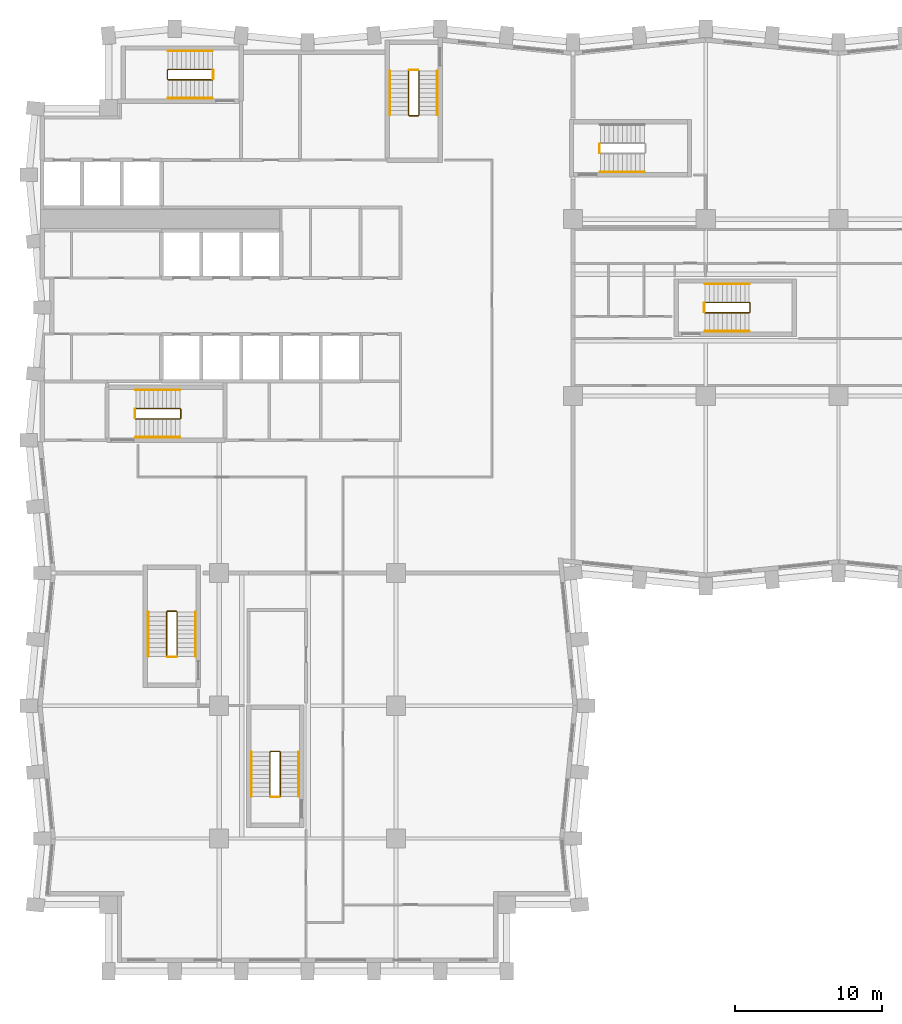
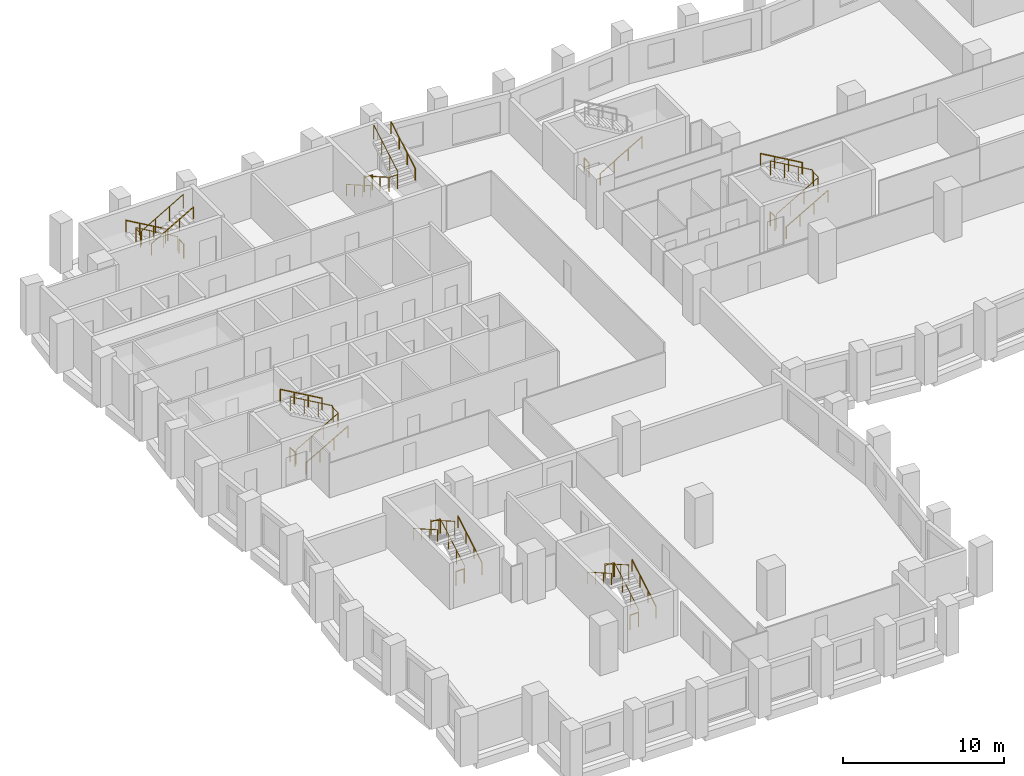
# One storey, part 10 of 11: 26 railings.
"""IFC4 building model written with IfcOpenShell, lengths in metres."""

from ifc_helpers import new_model, si_unit, direction, frame, origin, origin_2d, place, context, subcontext, project, spatial, circle, extrude, material, type_object, element, save


model = new_model("IFC4")

# Units and contexts
model_context = context("Model", 3, precision=1e-05, world=origin(), true_north=direction((0.0, 1.0)))
body_context = subcontext(model_context, "Body", "Model", "MODEL_VIEW")
ifc_project = project(units=[si_unit("LENGTHUNIT", "METRE"), si_unit("AREAUNIT", "SQUARE_METRE"), si_unit("VOLUMEUNIT", "CUBIC_METRE"), si_unit("PLANEANGLEUNIT", "RADIAN"), si_unit("MASSUNIT", "GRAM", prefix="KILO")], contexts=[model_context])

# Site, building, storey
site_placement = place(None, origin())
site = spatial("IfcSite", under=ifc_project, at=site_placement, CompositionType="ELEMENT")
building_placement = place(site_placement, origin())
building = spatial("IfcBuilding", under=site, at=building_placement, Name="Brondeck Convention Tower", CompositionType="ELEMENT")
storey_placement = place(building_placement, frame((0.0, 0.0, 134.10009765625)))
storey = spatial("IfcBuildingStorey", under=building, at=storey_placement, Name="L32", CompositionType="ELEMENT", Elevation=134.10009765625)

# Railings
ifc_material = material(Name="Steel S355", Category="steel")
railing_type_1 = type_object("IfcRailingType", Name="Stair guard 1100", PredefinedType="GUARDRAIL", material=ifc_material)
railing_1_placement = place(storey_placement, frame((6.35009765625, 37.449951171875, 0.172607421875)))
element("IfcRailing", 1, at=railing_1_placement, inside=storey, type_object=railing_type_1, Name="L32 ST-1 stair guard 1", PredefinedType="GUARDRAIL", context=body_context, shape_type="SweptSolid", body=[
    extrude(circle(Radius=0.02392578125, at=origin_2d()), frame((0.0, 0.0, 1.076171875), z_axis=(0.866619684472, 0.0, 0.498969260062), x_axis=(0.0, 1.0, 0.0)), (0.0, 0.0, 1.0), 3.461669921875),
    extrude(circle(Radius=0.02392578125, at=origin_2d()), frame((3.0, 0.0, 2.80322265625), z_axis=(0.705375805398, 0.708833529934, 0.0), x_axis=(-0.708833529934, 0.705375805398, 0.0)), (0.0, 0.0, 1.0), 0.070556640625),
    extrude(circle(Radius=0.02392578125, at=origin_2d()), frame((3.0498046875, 0.050048828125, 2.80322265625), z_axis=(0.0, 1.0, 0.0), x_axis=(-1.0, 0.0, 0.0)), (0.0, 0.0, 1.0), 0.60009765625),
    extrude(circle(Radius=0.02392578125, at=origin_2d()), frame((3.0498046875, 0.650146484375, 2.80322265625), z_axis=(-0.26715648603, 0.26715648603, 0.925880566782), x_axis=(-0.707106781187, -0.707106781187, 0.0)), (0.0, 0.0, 1.0), 0.1865234375),
    extrude(circle(Radius=0.02392578125, at=origin_2d()), frame((3.0, 0.699951171875, 2.97607421875), z_axis=(-0.866619684472, 0.0, 0.498969260062), x_axis=(0.0, -1.0, 0.0)), (0.0, 0.0, 1.0), 3.461669921875),
    extrude(circle(Radius=0.02099609375, at=origin_2d()), origin(), (0.0, 0.0, 1.0), 1.052001953125),
    extrude(circle(Radius=0.02099609375, at=origin_2d()), frame((1.0, 0.0, 0.57568359375)), (0.0, 0.0, 1.0), 1.052001953125),
    extrude(circle(Radius=0.02099609375, at=origin_2d()), frame((2.0, 0.0, 1.151611328125)), (0.0, 0.0, 1.0), 1.052001953125),
    extrude(circle(Radius=0.02099609375, at=origin_2d()), frame((3.0, 0.0, 1.727294921875)), (0.0, 0.0, 1.0), 1.052001953125),
    extrude(circle(Radius=0.02099609375, at=origin_2d()), frame((3.0498046875, 0.050048828125, 1.727294921875)), (0.0, 0.0, 1.0), 1.052001953125),
    extrude(circle(Radius=0.02099609375, at=origin_2d()), frame((3.0498046875, 0.650146484375, 1.727294921875)), (0.0, 0.0, 1.0), 1.052001953125),
    extrude(circle(Radius=0.02099609375, at=origin_2d()), frame((3.0, 0.699951171875, 1.89990234375)), (0.0, 0.0, 1.0), 1.052001953125),
    extrude(circle(Radius=0.02099609375, at=origin_2d()), frame((2.0, 0.699951171875, 2.4755859375)), (0.0, 0.0, 1.0), 1.052001953125),
    extrude(circle(Radius=0.02099609375, at=origin_2d()), frame((1.0, 0.699951171875, 3.051513671875)), (0.0, 0.0, 1.0), 1.052001953125),
    extrude(circle(Radius=0.02099609375, at=origin_2d()), frame((0.0, 0.699951171875, 3.627197265625)), (0.0, 0.0, 1.0), 1.052001953125),
])
railing_2_placement = place(storey_placement, frame((6.300048828125, 37.5, 0.0)))
element("IfcRailing", 2, at=railing_2_placement, inside=storey, type_object=railing_type_1, Name="L32 ST-1 stair guard 2", PredefinedType="GUARDRAIL", context=body_context, shape_type="SweptSolid", body=[
    extrude(circle(Radius=0.02392578125, at=origin_2d()), frame((0.0, 0.0, 1.076171875), z_axis=(0.0, 1.0, 0.0), x_axis=(-1.0, 0.0, 0.0)), (0.0, 0.0, 1.0), 0.60009765625),
    extrude(circle(Radius=0.02099609375, at=origin_2d()), origin(), (0.0, 0.0, 1.0), 1.052001953125),
    extrude(circle(Radius=0.02099609375, at=origin_2d()), frame((0.0, 0.60009765625, 0.0)), (0.0, 0.0, 1.0), 1.052001953125),
])
railing_3_placement = place(storey_placement, frame((24.85009765625, 61.050048828125, 0.172607421875)))
element("IfcRailing", 3, at=railing_3_placement, inside=storey, type_object=railing_type_1, Name="L32 ST-2 stair guard 1", PredefinedType="GUARDRAIL", context=body_context, shape_type="SweptSolid", body=[
    extrude(circle(Radius=0.02392578125, at=origin_2d()), frame((0.0, 0.0, 1.076171875), z_axis=(0.0, -0.866619684472, 0.498969260062), x_axis=(1.0, 0.0, 0.0)), (0.0, 0.0, 1.0), 3.461669921875),
    extrude(circle(Radius=0.02392578125, at=origin_2d()), frame((0.0, -3.0, 2.80322265625), z_axis=(0.705375805398, -0.708833529934, 0.0), x_axis=(0.708833529934, 0.705375805398, 0.0)), (0.0, 0.0, 1.0), 0.070556640625),
    extrude(circle(Radius=0.02392578125, at=origin_2d()), frame((0.0498046875, -3.050048828125, 2.80322265625), z_axis=(1.0, 0.0, 0.0), x_axis=(0.0, 1.0, 0.0)), (0.0, 0.0, 1.0), 0.60009765625),
    extrude(circle(Radius=0.02392578125, at=origin_2d()), frame((0.64990234375, -3.050048828125, 2.80322265625), z_axis=(0.268277960024, 0.268277960024, 0.925231793839), x_axis=(-0.707106781187, 0.707106781187, 0.0)), (0.0, 0.0, 1.0), 0.1865234375),
    extrude(circle(Radius=0.02392578125, at=origin_2d()), frame((0.699951171875, -3.0, 2.97607421875), z_axis=(0.0, 0.866619684472, 0.498969260062), x_axis=(-1.0, 0.0, 0.0)), (0.0, 0.0, 1.0), 3.461669921875),
    extrude(circle(Radius=0.02099609375, at=origin_2d()), origin(), (0.0, 0.0, 1.0), 1.052001953125),
    extrude(circle(Radius=0.02099609375, at=origin_2d()), frame((0.0, -1.0, 0.57568359375)), (0.0, 0.0, 1.0), 1.052001953125),
    extrude(circle(Radius=0.02099609375, at=origin_2d()), frame((0.0, -2.0, 1.151611328125)), (0.0, 0.0, 1.0), 1.052001953125),
    extrude(circle(Radius=0.02099609375, at=origin_2d()), frame((0.0, -3.0, 1.727294921875)), (0.0, 0.0, 1.0), 1.052001953125),
    extrude(circle(Radius=0.02099609375, at=origin_2d()), frame((0.0498046875, -3.050048828125, 1.727294921875)), (0.0, 0.0, 1.0), 1.052001953125),
    extrude(circle(Radius=0.02099609375, at=origin_2d()), frame((0.64990234375, -3.050048828125, 1.727294921875)), (0.0, 0.0, 1.0), 1.052001953125),
    extrude(circle(Radius=0.02099609375, at=origin_2d()), frame((0.699951171875, -3.0, 1.89990234375)), (0.0, 0.0, 1.0), 1.052001953125),
    extrude(circle(Radius=0.02099609375, at=origin_2d()), frame((0.699951171875, -2.0, 2.4755859375)), (0.0, 0.0, 1.0), 1.052001953125),
    extrude(circle(Radius=0.02099609375, at=origin_2d()), frame((0.699951171875, -1.0, 3.051513671875)), (0.0, 0.0, 1.0), 1.052001953125),
    extrude(circle(Radius=0.02099609375, at=origin_2d()), frame((0.699951171875, 0.0, 3.627197265625)), (0.0, 0.0, 1.0), 1.052001953125),
])
railing_4_placement = place(storey_placement, frame((24.89990234375, 61.10009765625, 0.0)))
element("IfcRailing", 4, at=railing_4_placement, inside=storey, type_object=railing_type_1, Name="L32 ST-2 stair guard 2", PredefinedType="GUARDRAIL", context=body_context, shape_type="SweptSolid", body=[
    extrude(circle(Radius=0.02392578125, at=origin_2d()), frame((0.0, 0.0, 1.076171875), z_axis=(1.0, 0.0, 0.0), x_axis=(0.0, 1.0, 0.0)), (0.0, 0.0, 1.0), 0.60009765625),
    extrude(circle(Radius=0.02099609375, at=origin_2d()), origin(), (0.0, 0.0, 1.0), 1.052001953125),
    extrude(circle(Radius=0.02099609375, at=origin_2d()), frame((0.60009765625, 0.0, 0.0)), (0.0, 0.0, 1.0), 1.052001953125),
])
railing_5_placement = place(storey_placement, frame((11.550048828125, 61.14990234375, 0.172607421875)))
element("IfcRailing", 5, at=railing_5_placement, inside=storey, type_object=railing_type_1, Name="L32 ST-3 stair guard 1", PredefinedType="GUARDRAIL", context=body_context, shape_type="SweptSolid", body=[
    extrude(circle(Radius=0.02392578125, at=origin_2d()), frame((0.0, 0.0, 1.076171875), z_axis=(-0.866619684472, 0.0, 0.498969260062), x_axis=(0.0, -1.0, 0.0)), (0.0, 0.0, 1.0), 3.461669921875),
    extrude(circle(Radius=0.02392578125, at=origin_2d()), frame((-3.0, 0.0, 2.80322265625), z_axis=(-0.708833529934, -0.705375805398, 0.0), x_axis=(0.705375805398, -0.708833529934, 0.0)), (0.0, 0.0, 1.0), 0.070556640625),
    extrude(circle(Radius=0.02392578125, at=origin_2d()), frame((-3.050048828125, -0.0498046875, 2.80322265625), z_axis=(0.0, -1.0, 0.0), x_axis=(1.0, 0.0, 0.0)), (0.0, 0.0, 1.0), 0.60009765625),
    extrude(circle(Radius=0.02392578125, at=origin_2d()), frame((-3.050048828125, -0.64990234375, 2.80322265625), z_axis=(0.268277960024, -0.268277960024, 0.925231793839), x_axis=(0.707106781187, 0.707106781187, 0.0)), (0.0, 0.0, 1.0), 0.1865234375),
    extrude(circle(Radius=0.02392578125, at=origin_2d()), frame((-3.0, -0.699951171875, 2.97607421875), z_axis=(0.866619684472, 0.0, 0.498969260062), x_axis=(0.0, 1.0, 0.0)), (0.0, 0.0, 1.0), 3.461669921875),
    extrude(circle(Radius=0.02099609375, at=origin_2d()), origin(), (0.0, 0.0, 1.0), 1.052001953125),
    extrude(circle(Radius=0.02099609375, at=origin_2d()), frame((-1.0, 0.0, 0.57568359375)), (0.0, 0.0, 1.0), 1.052001953125),
    extrude(circle(Radius=0.02099609375, at=origin_2d()), frame((-2.0, 0.0, 1.151611328125)), (0.0, 0.0, 1.0), 1.052001953125),
    extrude(circle(Radius=0.02099609375, at=origin_2d()), frame((-3.0, 0.0, 1.727294921875)), (0.0, 0.0, 1.0), 1.052001953125),
    extrude(circle(Radius=0.02099609375, at=origin_2d()), frame((-3.050048828125, -0.0498046875, 1.727294921875)), (0.0, 0.0, 1.0), 1.052001953125),
    extrude(circle(Radius=0.02099609375, at=origin_2d()), frame((-3.050048828125, -0.64990234375, 1.727294921875)), (0.0, 0.0, 1.0), 1.052001953125),
    extrude(circle(Radius=0.02099609375, at=origin_2d()), frame((-3.0, -0.699951171875, 1.89990234375)), (0.0, 0.0, 1.0), 1.052001953125),
    extrude(circle(Radius=0.02099609375, at=origin_2d()), frame((-2.0, -0.699951171875, 2.4755859375)), (0.0, 0.0, 1.0), 1.052001953125),
    extrude(circle(Radius=0.02099609375, at=origin_2d()), frame((-1.0, -0.699951171875, 3.051513671875)), (0.0, 0.0, 1.0), 1.052001953125),
    extrude(circle(Radius=0.02099609375, at=origin_2d()), frame((0.0, -0.699951171875, 3.627197265625)), (0.0, 0.0, 1.0), 1.052001953125),
])
railing_6_placement = place(storey_placement, frame((11.60009765625, 61.10009765625, 0.0)))
element("IfcRailing", 6, at=railing_6_placement, inside=storey, type_object=railing_type_1, Name="L32 ST-3 stair guard 2", PredefinedType="GUARDRAIL", context=body_context, shape_type="SweptSolid", body=[
    extrude(circle(Radius=0.02392578125, at=origin_2d()), frame((0.0, 0.0, 1.076171875), z_axis=(0.0, -1.0, 0.0), x_axis=(1.0, 0.0, 0.0)), (0.0, 0.0, 1.0), 0.60009765625),
    extrude(circle(Radius=0.02099609375, at=origin_2d()), origin(), (0.0, 0.0, 1.0), 1.052001953125),
    extrude(circle(Radius=0.02099609375, at=origin_2d()), frame((0.0, -0.60009765625, 0.0)), (0.0, 0.0, 1.0), 1.052001953125),
])
railing_7_placement = place(storey_placement, frame((37.800048828125, 55.5, 0.0)))
element("IfcRailing", 7, at=railing_7_placement, inside=storey, type_object=railing_type_1, Name="L32 ST-AE stair guard 2", PredefinedType="GUARDRAIL", context=body_context, shape_type="SweptSolid", body=[
    extrude(circle(Radius=0.02392578125, at=origin_2d()), frame((0.0, 0.0, 1.076171875), z_axis=(0.0, 1.0, 0.0), x_axis=(-1.0, 0.0, 0.0)), (0.0, 0.0, 1.0), 0.60009765625),
    extrude(circle(Radius=0.02099609375, at=origin_2d()), origin(), (0.0, 0.0, 1.0), 1.052001953125),
    extrude(circle(Radius=0.02099609375, at=origin_2d()), frame((0.0, 0.60009765625, 0.0)), (0.0, 0.0, 1.0), 1.052001953125),
])
railing_8_placement = place(storey_placement, frame((9.14990234375, 21.35009765625, 0.172607421875)))
element("IfcRailing", 8, at=railing_8_placement, inside=storey, type_object=railing_type_1, Name="L32 ST-BE stair guard 1", PredefinedType="GUARDRAIL", context=body_context, shape_type="SweptSolid", body=[
    extrude(circle(Radius=0.02392578125, at=origin_2d()), frame((0.0, 0.0, 1.076171875), z_axis=(0.0, 0.866619684472, 0.498969260062), x_axis=(-1.0, 0.0, 0.0)), (0.0, 0.0, 1.0), 3.461669921875),
    extrude(circle(Radius=0.02392578125, at=origin_2d()), frame((0.0, 3.0, 2.80322265625), z_axis=(-0.707106781187, 0.707106781187, 0.0), x_axis=(-0.707106781187, -0.707106781187, 0.0)), (0.0, 0.0, 1.0), 0.0703125),
    extrude(circle(Radius=0.02392578125, at=origin_2d()), frame((-0.0498046875, 3.0498046875, 2.80322265625), z_axis=(-1.0, 0.0, 0.0), x_axis=(0.0, -1.0, 0.0)), (0.0, 0.0, 1.0), 0.60009765625),
    extrude(circle(Radius=0.02392578125, at=origin_2d()), frame((-0.64990234375, 3.0498046875, 2.80322265625), z_axis=(-0.268371968888, -0.267062837333, 0.925556009775), x_axis=(0.705375805398, -0.708833529934, 0.0)), (0.0, 0.0, 1.0), 0.1865234375),
    extrude(circle(Radius=0.02392578125, at=origin_2d()), frame((-0.699951171875, 3.0, 2.97607421875), z_axis=(0.0, -0.866619684472, 0.498969260062), x_axis=(1.0, 0.0, 0.0)), (0.0, 0.0, 1.0), 3.461669921875),
    extrude(circle(Radius=0.02099609375, at=origin_2d()), origin(), (0.0, 0.0, 1.0), 1.052001953125),
    extrude(circle(Radius=0.02099609375, at=origin_2d()), frame((0.0, 1.0, 0.57568359375)), (0.0, 0.0, 1.0), 1.052001953125),
    extrude(circle(Radius=0.02099609375, at=origin_2d()), frame((0.0, 2.0, 1.151611328125)), (0.0, 0.0, 1.0), 1.052001953125),
    extrude(circle(Radius=0.02099609375, at=origin_2d()), frame((0.0, 3.0, 1.727294921875)), (0.0, 0.0, 1.0), 1.052001953125),
    extrude(circle(Radius=0.02099609375, at=origin_2d()), frame((-0.0498046875, 3.0498046875, 1.727294921875)), (0.0, 0.0, 1.0), 1.052001953125),
    extrude(circle(Radius=0.02099609375, at=origin_2d()), frame((-0.64990234375, 3.0498046875, 1.727294921875)), (0.0, 0.0, 1.0), 1.052001953125),
    extrude(circle(Radius=0.02099609375, at=origin_2d()), frame((-0.699951171875, 3.0, 1.89990234375)), (0.0, 0.0, 1.0), 1.052001953125),
    extrude(circle(Radius=0.02099609375, at=origin_2d()), frame((-0.699951171875, 2.0, 2.4755859375)), (0.0, 0.0, 1.0), 1.052001953125),
    extrude(circle(Radius=0.02099609375, at=origin_2d()), frame((-0.699951171875, 1.0, 3.051513671875)), (0.0, 0.0, 1.0), 1.052001953125),
    extrude(circle(Radius=0.02099609375, at=origin_2d()), frame((-0.699951171875, 0.0, 3.627197265625)), (0.0, 0.0, 1.0), 1.052001953125),
])
railing_9_placement = place(storey_placement, frame((9.10009765625, 21.300048828125, 0.0)))
element("IfcRailing", 9, at=railing_9_placement, inside=storey, type_object=railing_type_1, Name="L32 ST-BE stair guard 2", PredefinedType="GUARDRAIL", context=body_context, shape_type="SweptSolid", body=[
    extrude(circle(Radius=0.02392578125, at=origin_2d()), frame((0.0, 0.0, 1.076171875), z_axis=(-1.0, 0.0, 0.0), x_axis=(0.0, -1.0, 0.0)), (0.0, 0.0, 1.0), 0.60009765625),
    extrude(circle(Radius=0.02099609375, at=origin_2d()), origin(), (0.0, 0.0, 1.0), 1.052001953125),
    extrude(circle(Radius=0.02099609375, at=origin_2d()), frame((-0.60009765625, 0.0, 0.0)), (0.0, 0.0, 1.0), 1.052001953125),
])
railing_10_placement = place(storey_placement, frame((44.949951171875, 44.64990234375, 0.172607421875)))
element("IfcRailing", 10, at=railing_10_placement, inside=storey, type_object=railing_type_1, Name="L32 ST-AF stair guard 1", PredefinedType="GUARDRAIL", context=body_context, shape_type="SweptSolid", body=[
    extrude(circle(Radius=0.02392578125, at=origin_2d()), frame((0.0, 0.0, 1.076171875), z_axis=(0.866619684472, 0.0, 0.498969260062), x_axis=(0.0, 1.0, 0.0)), (0.0, 0.0, 1.0), 3.461669921875),
    extrude(circle(Radius=0.02392578125, at=origin_2d()), frame((3.0, 0.0, 2.80322265625), z_axis=(0.707106781187, 0.707106781187, 0.0), x_axis=(-0.707106781187, 0.707106781187, 0.0)), (0.0, 0.0, 1.0), 0.07080078125),
    extrude(circle(Radius=0.02392578125, at=origin_2d()), frame((3.050048828125, 0.050048828125, 2.80322265625), z_axis=(0.0, 1.0, 0.0), x_axis=(-1.0, 0.0, 0.0)), (0.0, 0.0, 1.0), 0.60009765625),
    extrude(circle(Radius=0.02392578125, at=origin_2d()), frame((3.050048828125, 0.650146484375, 2.80322265625), z_axis=(-0.268277960024, 0.268277960024, 0.925231793839), x_axis=(-0.707106781187, -0.707106781187, 0.0)), (0.0, 0.0, 1.0), 0.1865234375),
    extrude(circle(Radius=0.02392578125, at=origin_2d()), frame((3.0, 0.7001953125, 2.97607421875), z_axis=(-0.866619684472, 0.0, 0.498969260062), x_axis=(0.0, -1.0, 0.0)), (0.0, 0.0, 1.0), 3.461669921875),
    extrude(circle(Radius=0.02099609375, at=origin_2d()), origin(), (0.0, 0.0, 1.0), 1.052001953125),
    extrude(circle(Radius=0.02099609375, at=origin_2d()), frame((1.0, 0.0, 0.57568359375)), (0.0, 0.0, 1.0), 1.052001953125),
    extrude(circle(Radius=0.02099609375, at=origin_2d()), frame((2.0, 0.0, 1.151611328125)), (0.0, 0.0, 1.0), 1.052001953125),
    extrude(circle(Radius=0.02099609375, at=origin_2d()), frame((3.0, 0.0, 1.727294921875)), (0.0, 0.0, 1.0), 1.052001953125),
    extrude(circle(Radius=0.02099609375, at=origin_2d()), frame((3.050048828125, 0.050048828125, 1.727294921875)), (0.0, 0.0, 1.0), 1.052001953125),
    extrude(circle(Radius=0.02099609375, at=origin_2d()), frame((3.050048828125, 0.650146484375, 1.727294921875)), (0.0, 0.0, 1.0), 1.052001953125),
    extrude(circle(Radius=0.02099609375, at=origin_2d()), frame((3.0, 0.7001953125, 1.89990234375)), (0.0, 0.0, 1.0), 1.052001953125),
    extrude(circle(Radius=0.02099609375, at=origin_2d()), frame((2.0, 0.7001953125, 2.4755859375)), (0.0, 0.0, 1.0), 1.052001953125),
    extrude(circle(Radius=0.02099609375, at=origin_2d()), frame((1.0, 0.7001953125, 3.051513671875)), (0.0, 0.0, 1.0), 1.052001953125),
    extrude(circle(Radius=0.02099609375, at=origin_2d()), frame((0.0, 0.7001953125, 3.627197265625)), (0.0, 0.0, 1.0), 1.052001953125),
])
railing_11_placement = place(storey_placement, frame((44.89990234375, 44.699951171875, 0.0)))
element("IfcRailing", 11, at=railing_11_placement, inside=storey, type_object=railing_type_1, Name="L32 ST-AF stair guard 2", PredefinedType="GUARDRAIL", context=body_context, shape_type="SweptSolid", body=[
    extrude(circle(Radius=0.02392578125, at=origin_2d()), frame((0.0, 0.0, 1.076171875), z_axis=(0.0, 1.0, 0.0), x_axis=(-1.0, 0.0, 0.0)), (0.0, 0.0, 1.0), 0.60009765625),
    extrude(circle(Radius=0.02099609375, at=origin_2d()), origin(), (0.0, 0.0, 1.0), 1.052001953125),
    extrude(circle(Radius=0.02099609375, at=origin_2d()), frame((0.0, 0.60009765625, 0.0)), (0.0, 0.0, 1.0), 1.052001953125),
])
railing_12_placement = place(storey_placement, frame((16.14990234375, 11.85009765625, 0.172607421875)))
element("IfcRailing", 12, at=railing_12_placement, inside=storey, type_object=railing_type_1, Name="L32 ST-BF stair guard 1", PredefinedType="GUARDRAIL", context=body_context, shape_type="SweptSolid", body=[
    extrude(circle(Radius=0.02392578125, at=origin_2d()), frame((0.0, 0.0, 1.076171875), z_axis=(0.0, 0.866619684472, 0.498969260062), x_axis=(-1.0, 0.0, 0.0)), (0.0, 0.0, 1.0), 3.461669921875),
    extrude(circle(Radius=0.02392578125, at=origin_2d()), frame((0.0, 3.0, 2.80322265625), z_axis=(-0.707106781187, 0.707106781187, 0.0), x_axis=(-0.707106781187, -0.707106781187, 0.0)), (0.0, 0.0, 1.0), 0.0703125),
    extrude(circle(Radius=0.02392578125, at=origin_2d()), frame((-0.0498046875, 3.0498046875, 2.80322265625), z_axis=(-1.0, 0.0, 0.0), x_axis=(0.0, -1.0, 0.0)), (0.0, 0.0, 1.0), 0.60009765625),
    extrude(circle(Radius=0.02392578125, at=origin_2d()), frame((-0.64990234375, 3.0498046875, 2.80322265625), z_axis=(-0.268371968888, -0.267062837333, 0.925556009775), x_axis=(0.705375805398, -0.708833529934, 0.0)), (0.0, 0.0, 1.0), 0.1865234375),
    extrude(circle(Radius=0.02392578125, at=origin_2d()), frame((-0.699951171875, 3.0, 2.97607421875), z_axis=(0.0, -0.866619684472, 0.498969260062), x_axis=(1.0, 0.0, 0.0)), (0.0, 0.0, 1.0), 3.461669921875),
    extrude(circle(Radius=0.02099609375, at=origin_2d()), origin(), (0.0, 0.0, 1.0), 1.052001953125),
    extrude(circle(Radius=0.02099609375, at=origin_2d()), frame((0.0, 1.0, 0.57568359375)), (0.0, 0.0, 1.0), 1.052001953125),
    extrude(circle(Radius=0.02099609375, at=origin_2d()), frame((0.0, 2.0, 1.151611328125)), (0.0, 0.0, 1.0), 1.052001953125),
    extrude(circle(Radius=0.02099609375, at=origin_2d()), frame((0.0, 3.0, 1.727294921875)), (0.0, 0.0, 1.0), 1.052001953125),
    extrude(circle(Radius=0.02099609375, at=origin_2d()), frame((-0.0498046875, 3.0498046875, 1.727294921875)), (0.0, 0.0, 1.0), 1.052001953125),
    extrude(circle(Radius=0.02099609375, at=origin_2d()), frame((-0.64990234375, 3.0498046875, 1.727294921875)), (0.0, 0.0, 1.0), 1.052001953125),
    extrude(circle(Radius=0.02099609375, at=origin_2d()), frame((-0.699951171875, 3.0, 1.89990234375)), (0.0, 0.0, 1.0), 1.052001953125),
    extrude(circle(Radius=0.02099609375, at=origin_2d()), frame((-0.699951171875, 2.0, 2.4755859375)), (0.0, 0.0, 1.0), 1.052001953125),
    extrude(circle(Radius=0.02099609375, at=origin_2d()), frame((-0.699951171875, 1.0, 3.051513671875)), (0.0, 0.0, 1.0), 1.052001953125),
    extrude(circle(Radius=0.02099609375, at=origin_2d()), frame((-0.699951171875, 0.0, 3.627197265625)), (0.0, 0.0, 1.0), 1.052001953125),
])
railing_13_placement = place(storey_placement, frame((16.10009765625, 11.800048828125, 0.0)))
element("IfcRailing", 13, at=railing_13_placement, inside=storey, type_object=railing_type_1, Name="L32 ST-BF stair guard 2", PredefinedType="GUARDRAIL", context=body_context, shape_type="SweptSolid", body=[
    extrude(circle(Radius=0.02392578125, at=origin_2d()), frame((0.0, 0.0, 1.076171875), z_axis=(-1.0, 0.0, 0.0), x_axis=(0.0, -1.0, 0.0)), (0.0, 0.0, 1.0), 0.60009765625),
    extrude(circle(Radius=0.02099609375, at=origin_2d()), origin(), (0.0, 0.0, 1.0), 1.052001953125),
    extrude(circle(Radius=0.02099609375, at=origin_2d()), frame((-0.60009765625, 0.0, 0.0)), (0.0, 0.0, 1.0), 1.052001953125),
])
railing_type_2 = type_object("IfcRailingType", Name="Stair handrail", PredefinedType="HANDRAIL", material=ifc_material)
railing_14_placement = place(storey_placement, frame((6.35009765625, 36.199951171875, 0.172607421875)))
element("IfcRailing", 14, at=railing_14_placement, inside=storey, type_object=railing_type_2, Name="L32 ST-1 stair handrail 1", PredefinedType="HANDRAIL", context=body_context, shape_type="SweptSolid", body=[
    extrude(circle(Radius=0.02392578125, at=origin_2d()), frame((0.0, 0.0, 0.8759765625), z_axis=(0.866619684472, 0.0, 0.498969260062), x_axis=(0.0, 1.0, 0.0)), (0.0, 0.0, 1.0), 3.461669921875),
    extrude(circle(Radius=0.02099609375, at=origin_2d()), origin(), (0.0, 0.0, 1.0), 0.851806640625),
    extrude(circle(Radius=0.02099609375, at=origin_2d()), frame((1.0, 0.0, 0.57568359375)), (0.0, 0.0, 1.0), 0.851806640625),
    extrude(circle(Radius=0.02099609375, at=origin_2d()), frame((2.0, 0.0, 1.151611328125)), (0.0, 0.0, 1.0), 0.851806640625),
    extrude(circle(Radius=0.02099609375, at=origin_2d()), frame((3.0, 0.0, 1.727294921875)), (0.0, 0.0, 1.0), 0.851806640625),
])
railing_15_placement = place(storey_placement, frame((9.35009765625, 39.39990234375, 2.072509765625)))
element("IfcRailing", 15, at=railing_15_placement, inside=storey, type_object=railing_type_2, Name="L32 ST-1 stair handrail 2", PredefinedType="HANDRAIL", context=body_context, shape_type="SweptSolid", body=[
    extrude(circle(Radius=0.02392578125, at=origin_2d()), frame((0.0, 0.0, 0.8759765625), z_axis=(-0.866619684472, 0.0, 0.498969260062), x_axis=(0.0, -1.0, 0.0)), (0.0, 0.0, 1.0), 3.461669921875),
    extrude(circle(Radius=0.02099609375, at=origin_2d()), origin(), (0.0, 0.0, 1.0), 0.851806640625),
    extrude(circle(Radius=0.02099609375, at=origin_2d()), frame((-1.0, 0.0, 0.57568359375)), (0.0, 0.0, 1.0), 0.851806640625),
    extrude(circle(Radius=0.02099609375, at=origin_2d()), frame((-2.0, 0.0, 1.151611328125)), (0.0, 0.0, 1.0), 0.851806640625),
    extrude(circle(Radius=0.02099609375, at=origin_2d()), frame((-3.0, 0.0, 1.727294921875)), (0.0, 0.0, 1.0), 0.851806640625),
])
railing_16_placement = place(storey_placement, frame((23.60009765625, 61.050048828125, 0.172607421875)))
element("IfcRailing", 16, at=railing_16_placement, inside=storey, type_object=railing_type_2, Name="L32 ST-2 stair handrail 1", PredefinedType="HANDRAIL", context=body_context, shape_type="SweptSolid", body=[
    extrude(circle(Radius=0.02392578125, at=origin_2d()), frame((0.0, 0.0, 0.8759765625), z_axis=(0.0, -0.866619684472, 0.498969260062), x_axis=(1.0, 0.0, 0.0)), (0.0, 0.0, 1.0), 3.461669921875),
    extrude(circle(Radius=0.02099609375, at=origin_2d()), origin(), (0.0, 0.0, 1.0), 0.851806640625),
    extrude(circle(Radius=0.02099609375, at=origin_2d()), frame((0.0, -1.0, 0.57568359375)), (0.0, 0.0, 1.0), 0.851806640625),
    extrude(circle(Radius=0.02099609375, at=origin_2d()), frame((0.0, -2.0, 1.151611328125)), (0.0, 0.0, 1.0), 0.851806640625),
    extrude(circle(Radius=0.02099609375, at=origin_2d()), frame((0.0, -3.0, 1.727294921875)), (0.0, 0.0, 1.0), 0.851806640625),
])
railing_17_placement = place(storey_placement, frame((26.800048828125, 58.050048828125, 2.072509765625)))
element("IfcRailing", 17, at=railing_17_placement, inside=storey, type_object=railing_type_2, Name="L32 ST-2 stair handrail 2", PredefinedType="HANDRAIL", context=body_context, shape_type="SweptSolid", body=[
    extrude(circle(Radius=0.02392578125, at=origin_2d()), frame((0.0, 0.0, 0.8759765625), z_axis=(0.0, 0.866619684472, 0.498969260062), x_axis=(-1.0, 0.0, 0.0)), (0.0, 0.0, 1.0), 3.461669921875),
    extrude(circle(Radius=0.02099609375, at=origin_2d()), origin(), (0.0, 0.0, 1.0), 0.851806640625),
    extrude(circle(Radius=0.02099609375, at=origin_2d()), frame((0.0, 1.0, 0.57568359375)), (0.0, 0.0, 1.0), 0.851806640625),
    extrude(circle(Radius=0.02099609375, at=origin_2d()), frame((0.0, 2.0, 1.151611328125)), (0.0, 0.0, 1.0), 0.851806640625),
    extrude(circle(Radius=0.02099609375, at=origin_2d()), frame((0.0, 3.0, 1.727294921875)), (0.0, 0.0, 1.0), 0.851806640625),
])
railing_18_placement = place(storey_placement, frame((11.550048828125, 62.39990234375, 0.172607421875)))
element("IfcRailing", 18, at=railing_18_placement, inside=storey, type_object=railing_type_2, Name="L32 ST-3 stair handrail 1", PredefinedType="HANDRAIL", context=body_context, shape_type="SweptSolid", body=[
    extrude(circle(Radius=0.02392578125, at=origin_2d()), frame((0.0, 0.0, 0.8759765625), z_axis=(-0.866619684472, 0.0, 0.498969260062), x_axis=(0.0, -1.0, 0.0)), (0.0, 0.0, 1.0), 3.461669921875),
    extrude(circle(Radius=0.02099609375, at=origin_2d()), origin(), (0.0, 0.0, 1.0), 0.851806640625),
    extrude(circle(Radius=0.02099609375, at=origin_2d()), frame((-1.0, 0.0, 0.57568359375)), (0.0, 0.0, 1.0), 0.851806640625),
    extrude(circle(Radius=0.02099609375, at=origin_2d()), frame((-2.0, 0.0, 1.151611328125)), (0.0, 0.0, 1.0), 0.851806640625),
    extrude(circle(Radius=0.02099609375, at=origin_2d()), frame((-3.0, 0.0, 1.727294921875)), (0.0, 0.0, 1.0), 0.851806640625),
])
for number, where, name in (
    (19, (8.550048828125, 59.199951171875, 2.072509765625), "L32 ST-3 stair handrail 2"),
    (20, (37.85009765625, 54.199951171875, 0.172607421875), "L32 ST-AE stair handrail 1"),
):
    element("IfcRailing", number, at=place(storey_placement, frame(where)), inside=storey, type_object=railing_type_2, Name=name, PredefinedType="HANDRAIL", context=body_context, shape_type="SweptSolid", body=[
        extrude(circle(Radius=0.02392578125, at=origin_2d()), frame((0.0, 0.0, 0.8759765625), z_axis=(0.866619684472, 0.0, 0.498969260062), x_axis=(0.0, 1.0, 0.0)), (0.0, 0.0, 1.0), 3.461669921875),
        extrude(circle(Radius=0.02099609375, at=origin_2d()), origin(), (0.0, 0.0, 1.0), 0.851806640625),
        extrude(circle(Radius=0.02099609375, at=origin_2d()), frame((1.0, 0.0, 0.57568359375)), (0.0, 0.0, 1.0), 0.851806640625),
        extrude(circle(Radius=0.02099609375, at=origin_2d()), frame((2.0, 0.0, 1.151611328125)), (0.0, 0.0, 1.0), 0.851806640625),
        extrude(circle(Radius=0.02099609375, at=origin_2d()), frame((3.0, 0.0, 1.727294921875)), (0.0, 0.0, 1.0), 0.851806640625),
    ])
railing_19_placement = place(storey_placement, frame((10.39990234375, 21.35009765625, 0.172607421875)))
element("IfcRailing", 21, at=railing_19_placement, inside=storey, type_object=railing_type_2, Name="L32 ST-BE stair handrail 1", PredefinedType="HANDRAIL", context=body_context, shape_type="SweptSolid", body=[
    extrude(circle(Radius=0.02392578125, at=origin_2d()), frame((0.0, 0.0, 0.8759765625), z_axis=(0.0, 0.866619684472, 0.498969260062), x_axis=(-1.0, 0.0, 0.0)), (0.0, 0.0, 1.0), 3.461669921875),
    extrude(circle(Radius=0.02099609375, at=origin_2d()), origin(), (0.0, 0.0, 1.0), 0.851806640625),
    extrude(circle(Radius=0.02099609375, at=origin_2d()), frame((0.0, 1.0, 0.57568359375)), (0.0, 0.0, 1.0), 0.851806640625),
    extrude(circle(Radius=0.02099609375, at=origin_2d()), frame((0.0, 2.0, 1.151611328125)), (0.0, 0.0, 1.0), 0.851806640625),
    extrude(circle(Radius=0.02099609375, at=origin_2d()), frame((0.0, 3.0, 1.727294921875)), (0.0, 0.0, 1.0), 0.851806640625),
])
railing_20_placement = place(storey_placement, frame((7.199951171875, 24.35009765625, 2.072509765625)))
element("IfcRailing", 22, at=railing_20_placement, inside=storey, type_object=railing_type_2, Name="L32 ST-BE stair handrail 2", PredefinedType="HANDRAIL", context=body_context, shape_type="SweptSolid", body=[
    extrude(circle(Radius=0.02392578125, at=origin_2d()), frame((0.0, 0.0, 0.8759765625), z_axis=(0.0, -0.866619684472, 0.498969260062), x_axis=(1.0, 0.0, 0.0)), (0.0, 0.0, 1.0), 3.461669921875),
    extrude(circle(Radius=0.02099609375, at=origin_2d()), origin(), (0.0, 0.0, 1.0), 0.851806640625),
    extrude(circle(Radius=0.02099609375, at=origin_2d()), frame((0.0, -1.0, 0.57568359375)), (0.0, 0.0, 1.0), 0.851806640625),
    extrude(circle(Radius=0.02099609375, at=origin_2d()), frame((0.0, -2.0, 1.151611328125)), (0.0, 0.0, 1.0), 0.851806640625),
    extrude(circle(Radius=0.02099609375, at=origin_2d()), frame((0.0, -3.0, 1.727294921875)), (0.0, 0.0, 1.0), 0.851806640625),
])
railing_21_placement = place(storey_placement, frame((44.949951171875, 43.39990234375, 0.172607421875)))
element("IfcRailing", 23, at=railing_21_placement, inside=storey, type_object=railing_type_2, Name="L32 ST-AF stair handrail 1", PredefinedType="HANDRAIL", context=body_context, shape_type="SweptSolid", body=[
    extrude(circle(Radius=0.02392578125, at=origin_2d()), frame((0.0, 0.0, 0.8759765625), z_axis=(0.866619684472, 0.0, 0.498969260062), x_axis=(0.0, 1.0, 0.0)), (0.0, 0.0, 1.0), 3.461669921875),
    extrude(circle(Radius=0.02099609375, at=origin_2d()), origin(), (0.0, 0.0, 1.0), 0.851806640625),
    extrude(circle(Radius=0.02099609375, at=origin_2d()), frame((1.0, 0.0, 0.57568359375)), (0.0, 0.0, 1.0), 0.851806640625),
    extrude(circle(Radius=0.02099609375, at=origin_2d()), frame((2.0, 0.0, 1.151611328125)), (0.0, 0.0, 1.0), 0.851806640625),
    extrude(circle(Radius=0.02099609375, at=origin_2d()), frame((3.0, 0.0, 1.727294921875)), (0.0, 0.0, 1.0), 0.851806640625),
])
railing_22_placement = place(storey_placement, frame((47.949951171875, 46.60009765625, 2.072509765625)))
element("IfcRailing", 24, at=railing_22_placement, inside=storey, type_object=railing_type_2, Name="L32 ST-AF stair handrail 2", PredefinedType="HANDRAIL", context=body_context, shape_type="SweptSolid", body=[
    extrude(circle(Radius=0.02392578125, at=origin_2d()), frame((0.0, 0.0, 0.8759765625), z_axis=(-0.866619684472, 0.0, 0.498969260062), x_axis=(0.0, -1.0, 0.0)), (0.0, 0.0, 1.0), 3.461669921875),
    extrude(circle(Radius=0.02099609375, at=origin_2d()), origin(), (0.0, 0.0, 1.0), 0.851806640625),
    extrude(circle(Radius=0.02099609375, at=origin_2d()), frame((-1.0, 0.0, 0.57568359375)), (0.0, 0.0, 1.0), 0.851806640625),
    extrude(circle(Radius=0.02099609375, at=origin_2d()), frame((-2.0, 0.0, 1.151611328125)), (0.0, 0.0, 1.0), 0.851806640625),
    extrude(circle(Radius=0.02099609375, at=origin_2d()), frame((-3.0, 0.0, 1.727294921875)), (0.0, 0.0, 1.0), 0.851806640625),
])
railing_23_placement = place(storey_placement, frame((17.39990234375, 11.85009765625, 0.172607421875)))
element("IfcRailing", 25, at=railing_23_placement, inside=storey, type_object=railing_type_2, Name="L32 ST-BF stair handrail 1", PredefinedType="HANDRAIL", context=body_context, shape_type="SweptSolid", body=[
    extrude(circle(Radius=0.02392578125, at=origin_2d()), frame((0.0, 0.0, 0.8759765625), z_axis=(0.0, 0.866619684472, 0.498969260062), x_axis=(-1.0, 0.0, 0.0)), (0.0, 0.0, 1.0), 3.461669921875),
    extrude(circle(Radius=0.02099609375, at=origin_2d()), origin(), (0.0, 0.0, 1.0), 0.851806640625),
    extrude(circle(Radius=0.02099609375, at=origin_2d()), frame((0.0, 1.0, 0.57568359375)), (0.0, 0.0, 1.0), 0.851806640625),
    extrude(circle(Radius=0.02099609375, at=origin_2d()), frame((0.0, 2.0, 1.151611328125)), (0.0, 0.0, 1.0), 0.851806640625),
    extrude(circle(Radius=0.02099609375, at=origin_2d()), frame((0.0, 3.0, 1.727294921875)), (0.0, 0.0, 1.0), 0.851806640625),
])
railing_24_placement = place(storey_placement, frame((14.199951171875, 14.85009765625, 2.072509765625)))
element("IfcRailing", 26, at=railing_24_placement, inside=storey, type_object=railing_type_2, Name="L32 ST-BF stair handrail 2", PredefinedType="HANDRAIL", context=body_context, shape_type="SweptSolid", body=[
    extrude(circle(Radius=0.02392578125, at=origin_2d()), frame((0.0, 0.0, 0.8759765625), z_axis=(0.0, -0.866619684472, 0.498969260062), x_axis=(1.0, 0.0, 0.0)), (0.0, 0.0, 1.0), 3.461669921875),
    extrude(circle(Radius=0.02099609375, at=origin_2d()), origin(), (0.0, 0.0, 1.0), 0.851806640625),
    extrude(circle(Radius=0.02099609375, at=origin_2d()), frame((0.0, -1.0, 0.57568359375)), (0.0, 0.0, 1.0), 0.851806640625),
    extrude(circle(Radius=0.02099609375, at=origin_2d()), frame((0.0, -2.0, 1.151611328125)), (0.0, 0.0, 1.0), 0.851806640625),
    extrude(circle(Radius=0.02099609375, at=origin_2d()), frame((0.0, -3.0, 1.727294921875)), (0.0, 0.0, 1.0), 0.851806640625),
])

save(model, "model.ifc")
